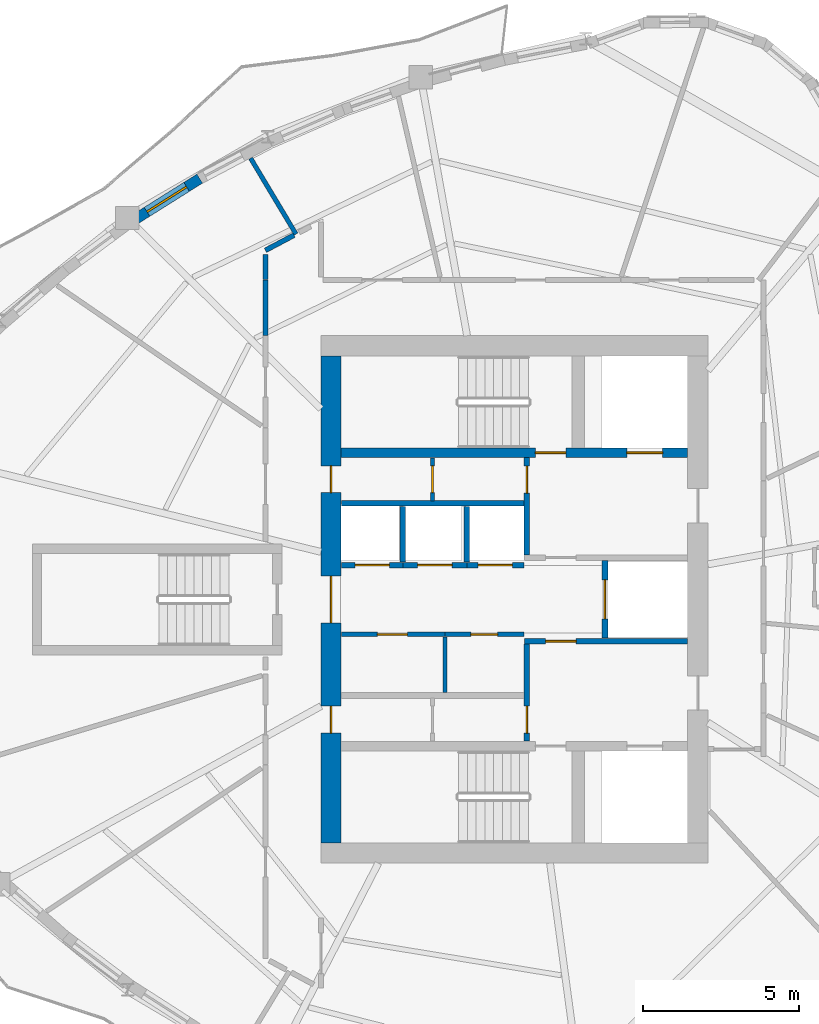
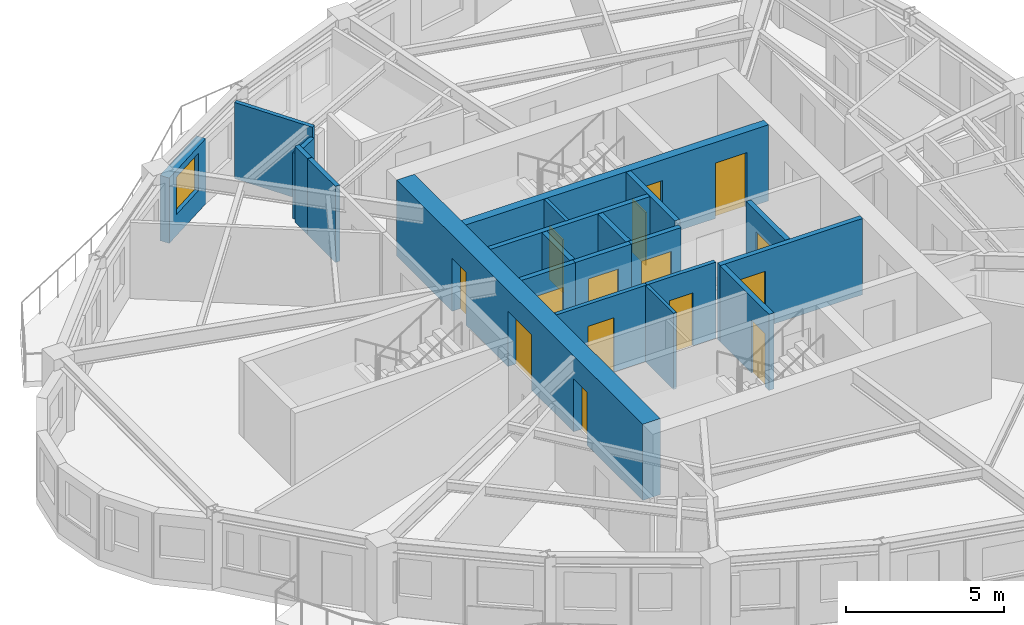
# One storey, part 5 of 12: 21 walls, 15 doors, 1 window, 16 openings.
"""IFC4 building model written with IfcOpenShell, lengths in metres."""

from ifc_helpers import new_model, si_unit, direction, frame, frame_2d, origin, place, context, subcontext, project, spatial, rectangle, extrude, source, transform, mapped, material, layer, layer_set, type_object, element, fill, save


model = new_model("IFC4")

# Units and contexts
model_context = context("Model", 3, precision=1e-05, world=origin(), true_north=direction((0.0, 1.0)))
body_context = subcontext(model_context, "Body", "Model", "MODEL_VIEW")
ifc_project = project(units=[si_unit("LENGTHUNIT", "METRE"), si_unit("AREAUNIT", "SQUARE_METRE"), si_unit("VOLUMEUNIT", "CUBIC_METRE"), si_unit("PLANEANGLEUNIT", "RADIAN"), si_unit("MASSUNIT", "GRAM", prefix="KILO")], contexts=[model_context])

# Site, building, storey
site_placement = place(None, origin())
site = spatial("IfcSite", under=ifc_project, at=site_placement, CompositionType="ELEMENT")
building_placement = place(site_placement, origin())
building = spatial("IfcBuilding", under=site, at=building_placement, Name="Qafzar Sky-Pleat Residences", CompositionType="ELEMENT")
storey_placement = place(building_placement, frame((0.0, 0.0, 145.800048828125)))
storey = spatial("IfcBuildingStorey", under=building, at=storey_placement, Name="L43", CompositionType="ELEMENT", Elevation=145.800048828125)

# Walls
ifc_material_1 = material(Name="Acoustic gypsum plasterboard partition", Category="gypsum")
ifc_layer_1 = layer(ifc_material_1, 0.159912109375)
ifc_layer_set_1 = layer_set([ifc_layer_1], Name="Acoustic gypsum plasterboard partition")
wall_type_1 = type_object("IfcWallType", Name="PART-COR-160", PredefinedType="PARTITIONING", material=ifc_layer_set_1)
wall_1_placement = place(storey_placement, frame((22.3701171875, 34.465087890625, 0.0), z_axis=(0.0, 0.0, 1.0), x_axis=(0.0, 1.0, 0.0)))
element("IfcWall", 1, at=wall_1_placement, inside=storey, type_object=wall_type_1, Name="L43 Partition Wall PART-L43-PW-033", PredefinedType="PARTITIONING", context=body_context, shape_type="SweptSolid", body=[
    extrude(rectangle(XDim=1.764892578125, YDim=0.159912109375, at=frame_2d((0.88232421875, 0.0))), origin(), (0.0, 0.0, 1.0), 2.949951171875),
])
wall_2_placement = place(storey_placement, frame((22.3701171875, 37.18701171875, 0.0), z_axis=(0.0, 0.0, 1.0), x_axis=(0.884244639112, 0.467024001741, 0.0)))
element("IfcWall", 2, at=wall_2_placement, inside=storey, type_object=wall_type_1, Name="L43 Partition Wall PART-L43-PW-037", PredefinedType="PARTITIONING", context=body_context, shape_type="SweptSolid", body=[
    extrude(rectangle(XDim=1.039306640625, YDim=0.159912109375, at=frame_2d((0.51953125, 0.0))), origin(), (0.0, 0.0, 1.0), 2.557861328125),
])
wall_3_placement = place(storey_placement, frame((22.3701171875, 36.2451171875, 0.0), z_axis=(0.0, 0.0, 1.0), x_axis=(0.0, 1.0, 0.0)))
element("IfcWall", 3, at=wall_3_placement, inside=storey, type_object=wall_type_1, Name="L43 Partition Wall PART-L43-PW-039", PredefinedType="PARTITIONING", context=body_context, shape_type="SweptSolid", body=[
    extrude(rectangle(XDim=0.80126953125, YDim=0.159912109375, at=frame_2d((0.400634765625, 0.0))), origin(), (0.0, 0.0, 1.0), 2.949951171875),
])

# Wall, opening, door
ifc_material_2 = material(Name="Concrete blockwork partition", Category="masonry")
ifc_layer_2 = layer(ifc_material_2, 0.179931640625)
ifc_layer_set_2 = layer_set([ifc_layer_2], Name="Concrete blockwork partition")
wall_type_2 = type_object("IfcWallType", Name="PART-SHAFT-180", PredefinedType="PARTITIONING", material=ifc_layer_set_2)
wall_4_placement = place(storey_placement, frame((30.75, 21.4599609375, 0.0), z_axis=(0.0, 0.0, 1.0), x_axis=(0.0, 1.0, 0.0)))
wall_4 = element("IfcWall", 4, at=wall_4_placement, inside=storey, type_object=wall_type_2, Name="L43 Partition Wall PART-L43-FFL1-W", PredefinedType="PARTITIONING", context=body_context, shape_type="SweptSolid", body=[
    extrude(rectangle(XDim=3.110107421875, YDim=0.179931640625, at=frame_2d((1.55517578125, 0.0))), origin(), (0.0, 0.0, 1.0), 2.949951171875),
])
opening_1_placement = place(wall_4_placement, frame((0.260009765625, 0.0, 0.0)))
opening_1 = element("IfcOpeningElement", 5, at=opening_1_placement, cuts=wall_4, Name="Opening ID-09", PredefinedType="OPENING", context=body_context, shape_type="SweptSolid", body=[
    extrude(rectangle(XDim=0.860107421875, YDim=2.050048828125, at=frame_2d((0.43017578125, 1.02490234375))), frame((0.0, 0.10009765625, 0.0), z_axis=(0.0, -1.0, 0.0), x_axis=(1.0, 0.0, 0.0)), (0.0, 0.0, 1.0), 0.199951171875),
])
ifc_material_3 = material(Name="Timber-faced fire door", Category="wood")
door_type_1 = type_object("IfcDoorType", Name="DR-SVC-860", OperationType="NOTDEFINED", PredefinedType="DOOR", material=ifc_material_3)
shared_shape_1 = source(origin(), body_context, "Body", "SweptSolid", [
    extrude(rectangle(XDim=0.860107421875, YDim=2.050048828125, at=frame_2d((0.43017578125, 1.02490234375))), frame((0.0, 0.02490234375, 0.0), z_axis=(0.0, -1.0, 0.0), x_axis=(1.0, 0.0, 0.0)), (0.0, 0.0, 1.0), 0.050048828125),
])
door_1_placement = place(opening_1_placement, origin())
door_1 = element("IfcDoor", 6, at=door_1_placement, inside=storey, type_object=door_type_1, Name="L43 South Core Cupboard Door", OperationType="SINGLE_SWING_RIGHT", OverallHeight=2.050048828125, OverallWidth=0.860107421875, PredefinedType="DOOR", context=body_context, shape_type="MappedRepresentation", body=[
    mapped(shared_shape_1, transform((0.0, 0.0, 0.0), x_axis=(1.0, 0.0, 0.0), y_axis=(0.0, 1.0, 0.0), z_axis=(0.0, 0.0, 1.0), scale=1.0)),
])
fill(opening_1, door_1)

wall_5_placement = place(storey_placement, frame((30.669921875, 24.659912109375, 0.0), z_axis=(0.0, 0.0, 1.0), x_axis=(1.0, 0.0, 0.0)))
wall_5 = element("IfcWall", 7, at=wall_5_placement, inside=storey, type_object=wall_type_2, Name="L43 Partition Wall PART-L43-FFL1-N", PredefinedType="PARTITIONING", context=body_context, shape_type="SweptSolid", body=[
    extrude(rectangle(XDim=5.219970703125, YDim=0.179931640625, at=frame_2d((2.60986328125, 0.0))), origin(), (0.0, 0.0, 1.0), 2.949951171875),
])
opening_2_placement = place(wall_5_placement, frame((0.679931640625, 0.0, 0.0)))
opening_2 = element("IfcOpeningElement", 8, at=opening_2_placement, cuts=wall_5, Name="Opening ID-01", PredefinedType="OPENING", context=body_context, shape_type="SweptSolid", body=[
    extrude(rectangle(XDim=0.97998046875, YDim=2.14990234375, at=frame_2d((0.489990234375, 1.074951171875))), frame((0.0, 0.10009765625, 0.0), z_axis=(0.0, -1.0, 0.0), x_axis=(1.0, 0.0, 0.0)), (0.0, 0.0, 1.0), 0.199951171875),
])
door_type_2 = type_object("IfcDoorType", Name="DR-STAIR-980", OperationType="NOTDEFINED", PredefinedType="DOOR", material=ifc_material_3)
shared_shape_2 = source(origin(), body_context, "Body", "SweptSolid", [
    extrude(rectangle(XDim=0.97998046875, YDim=2.14990234375, at=frame_2d((0.489990234375, 1.074951171875))), frame((0.0, 0.02490234375, 0.0), z_axis=(0.0, -1.0, 0.0), x_axis=(1.0, 0.0, 0.0)), (0.0, 0.0, 1.0), 0.050048828125),
])
door_2_placement = place(opening_2_placement, origin())
door_2 = element("IfcDoor", 9, at=door_2_placement, inside=storey, type_object=door_type_2, Name="L43 Lift Lobby to South Firefighting Lobby Door", OperationType="SINGLE_SWING_LEFT", OverallHeight=2.14990234375, OverallWidth=0.97998046875, PredefinedType="DOOR", context=body_context, shape_type="MappedRepresentation", body=[
    mapped(shared_shape_2, transform((0.0, 0.0, 0.0), x_axis=(1.0, 0.0, 0.0), y_axis=(0.0, 1.0, 0.0), z_axis=(0.0, 0.0, 1.0), scale=1.0)),
])
fill(opening_2, door_2)

wall_6_placement = place(storey_placement, frame((30.75, 27.429931640625, 0.0), z_axis=(0.0, 0.0, 1.0), x_axis=(0.0, 1.0, 0.0)))
wall_6 = element("IfcWall", 10, at=wall_6_placement, inside=storey, type_object=wall_type_2, Name="L43 Partition Wall PART-L43-FFL2-W", PredefinedType="PARTITIONING", context=body_context, shape_type="SweptSolid", body=[
    extrude(rectangle(XDim=3.110107421875, YDim=0.179931640625, at=frame_2d((1.55517578125, 0.0))), origin(), (0.0, 0.0, 1.0), 2.949951171875),
])
opening_3_placement = place(wall_6_placement, frame((1.97998046875, 0.0, 0.0)))
opening_3 = element("IfcOpeningElement", 11, at=opening_3_placement, cuts=wall_6, Name="Opening ID-09", PredefinedType="OPENING", context=body_context, shape_type="SweptSolid", body=[
    extrude(rectangle(XDim=0.860107421875, YDim=2.050048828125, at=frame_2d((0.43017578125, 1.02490234375))), frame((0.0, 0.10009765625, 0.0), z_axis=(0.0, -1.0, 0.0), x_axis=(1.0, 0.0, 0.0)), (0.0, 0.0, 1.0), 0.199951171875),
])
door_3_placement = place(opening_3_placement, origin())
door_3 = element("IfcDoor", 12, at=door_3_placement, inside=storey, type_object=door_type_1, Name="L43 North Core Cupboard Door", OperationType="SINGLE_SWING_RIGHT", OverallHeight=2.050048828125, OverallWidth=0.860107421875, PredefinedType="DOOR", context=body_context, shape_type="MappedRepresentation", body=[
    mapped(shared_shape_1, transform((0.0, 0.0, 0.0), x_axis=(1.0, 0.0, 0.0), y_axis=(0.0, 1.0, 0.0), z_axis=(0.0, 0.0, 1.0), scale=1.0)),
])
fill(opening_3, door_3)

wall_7_placement = place(storey_placement, frame((33.25, 24.760009765625, 0.0), z_axis=(0.0, 0.0, 1.0), x_axis=(0.0, 1.0, 0.0)))
wall_7 = element("IfcWall", 13, at=wall_7_placement, inside=storey, type_object=wall_type_2, Name="L43 Partition Wall PART-L43-SV1-W", PredefinedType="PARTITIONING", context=body_context, shape_type="SweptSolid", body=[
    extrude(rectangle(XDim=2.47998046875, YDim=0.179931640625, at=frame_2d((1.239990234375, 0.0))), origin(), (0.0, 0.0, 1.0), 2.949951171875),
])
opening_4_placement = place(wall_7_placement, frame((0.614990234375, 0.0, 0.0)))
opening_4 = element("IfcOpeningElement", 14, at=opening_4_placement, cuts=wall_7, Name="Opening LD-03", PredefinedType="OPENING", context=body_context, shape_type="SweptSolid", body=[
    extrude(rectangle(XDim=1.25, YDim=2.14990234375, at=frame_2d((0.625, 1.074951171875))), frame((0.0, 0.10009765625, 0.0), z_axis=(0.0, -1.0, 0.0), x_axis=(1.0, 0.0, 0.0)), (0.0, 0.0, 1.0), 0.199951171875),
])
ifc_material_4 = material(Name="Stainless steel sliding landing door", Category="steel")
door_type_3 = type_object("IfcDoorType", Name="DR-LIFT-SV", OperationType="DOUBLE_DOOR_SLIDING", PredefinedType="DOOR", material=ifc_material_4)
shared_shape_3 = source(origin(), body_context, "Body", "SweptSolid", [
    extrude(rectangle(XDim=1.25, YDim=2.14990234375, at=frame_2d((0.625, 1.074951171875))), frame((0.0, 0.02490234375, 0.0), z_axis=(0.0, -1.0, 0.0), x_axis=(1.0, 0.0, 0.0)), (0.0, 0.0, 1.0), 0.050048828125),
])
door_4_placement = place(opening_4_placement, origin())
door_4 = element("IfcDoor", 15, at=door_4_placement, inside=storey, type_object=door_type_3, Name="L43 Service Lift SV1 Landing Door", OperationType="DOUBLE_DOOR_SLIDING", OverallHeight=2.14990234375, OverallWidth=1.25, PredefinedType="DOOR", context=body_context, shape_type="MappedRepresentation", body=[
    mapped(shared_shape_3, transform((0.0, 0.0, 0.0), x_axis=(1.0, 0.0, 0.0), y_axis=(0.0, 1.0, 0.0), z_axis=(0.0, 0.0, 1.0), scale=1.0)),
])
fill(opening_4, door_4)

# Wall
wall_8_placement = place(storey_placement, frame((24.81005859375, 29.080078125, 0.0), z_axis=(0.0, 0.0, 1.0), x_axis=(1.0, 0.0, 0.0)))
element("IfcWall", 16, at=wall_8_placement, inside=storey, type_object=wall_type_2, Name="L43 Partition Wall PART-L43-P46-N", PredefinedType="PARTITIONING", context=body_context, shape_type="SweptSolid", body=[
    extrude(rectangle(XDim=5.83984375, YDim=0.179931640625, at=frame_2d((2.919921875, 0.0))), origin(), (0.0, 0.0, 1.0), 2.949951171875),
])

# Wall, opening, door
wall_9_placement = place(storey_placement, frame((24.81005859375, 27.10009765625, 0.0), z_axis=(0.0, 0.0, 1.0), x_axis=(1.0, 0.0, 0.0)))
wall_9 = element("IfcWall", 17, at=wall_9_placement, inside=storey, type_object=wall_type_2, Name="L43 Partition Wall PART-L43-P4-S", PredefinedType="PARTITIONING", context=body_context, shape_type="SweptSolid", body=[
    extrude(rectangle(XDim=1.96484375, YDim=0.179931640625, at=frame_2d((0.982421875, 0.0))), origin(), (0.0, 0.0, 1.0), 2.949951171875),
])
opening_5_placement = place(wall_9_placement, frame((0.4326171875, 0.0, 0.0)))
opening_5 = element("IfcOpeningElement", 18, at=opening_5_placement, cuts=wall_9, Name="Opening LD-01", PredefinedType="OPENING", context=body_context, shape_type="SweptSolid", body=[
    extrude(rectangle(XDim=1.10009765625, YDim=2.14990234375, at=frame_2d((0.550048828125, 1.074951171875))), frame((0.0, 0.10009765625, 0.0), z_axis=(0.0, -1.0, 0.0), x_axis=(1.0, 0.0, 0.0)), (0.0, 0.0, 1.0), 0.199951171875),
])
door_type_4 = type_object("IfcDoorType", Name="DR-LIFT-P", OperationType="DOUBLE_DOOR_SLIDING", PredefinedType="DOOR", material=ifc_material_4)
shared_shape_4 = source(origin(), body_context, "Body", "SweptSolid", [
    extrude(rectangle(XDim=1.10009765625, YDim=2.14990234375, at=frame_2d((0.550048828125, 1.074951171875))), frame((0.0, 0.02490234375, 0.0), z_axis=(0.0, -1.0, 0.0), x_axis=(1.0, 0.0, 0.0)), (0.0, 0.0, 1.0), 0.050048828125),
])
door_5_placement = place(opening_5_placement, origin())
door_5 = element("IfcDoor", 19, at=door_5_placement, inside=storey, type_object=door_type_4, Name="L43 Passenger Lift P4 Landing Door", OperationType="DOUBLE_DOOR_SLIDING", OverallHeight=2.14990234375, OverallWidth=1.10009765625, PredefinedType="DOOR", context=body_context, shape_type="MappedRepresentation", body=[
    mapped(shared_shape_4, transform((0.0, 0.0, 0.0), x_axis=(1.0, 0.0, 0.0), y_axis=(0.0, 1.0, 0.0), z_axis=(0.0, 0.0, 1.0), scale=1.0)),
])
fill(opening_5, door_5)

wall_10_placement = place(storey_placement, frame((26.77490234375, 27.10009765625, 0.0), z_axis=(0.0, 0.0, 1.0), x_axis=(1.0, 0.0, 0.0)))
wall_10 = element("IfcWall", 20, at=wall_10_placement, inside=storey, type_object=wall_type_2, Name="L43 Partition Wall PART-L43-P5-S", PredefinedType="PARTITIONING", context=body_context, shape_type="SweptSolid", body=[
    extrude(rectangle(XDim=2.050048828125, YDim=0.179931640625, at=frame_2d((1.02490234375, 0.0))), origin(), (0.0, 0.0, 1.0), 2.949951171875),
])
opening_6_placement = place(wall_10_placement, frame((0.47509765625, 0.0, 0.0)))
opening_6 = element("IfcOpeningElement", 21, at=opening_6_placement, cuts=wall_10, Name="Opening LD-01", PredefinedType="OPENING", context=body_context, shape_type="SweptSolid", body=[
    extrude(rectangle(XDim=1.10009765625, YDim=2.14990234375, at=frame_2d((0.550048828125, 1.074951171875))), frame((0.0, 0.10009765625, 0.0), z_axis=(0.0, -1.0, 0.0), x_axis=(1.0, 0.0, 0.0)), (0.0, 0.0, 1.0), 0.199951171875),
])
door_6_placement = place(opening_6_placement, origin())
door_6 = element("IfcDoor", 22, at=door_6_placement, inside=storey, type_object=door_type_4, Name="L43 Passenger Lift P5 Landing Door", OperationType="DOUBLE_DOOR_SLIDING", OverallHeight=2.14990234375, OverallWidth=1.10009765625, PredefinedType="DOOR", context=body_context, shape_type="MappedRepresentation", body=[
    mapped(shared_shape_4, transform((0.0, 0.0, 0.0), x_axis=(1.0, 0.0, 0.0), y_axis=(0.0, 1.0, 0.0), z_axis=(0.0, 0.0, 1.0), scale=1.0)),
])
fill(opening_6, door_6)

# Wall
wall_11_placement = place(storey_placement, frame((26.77490234375, 27.199951171875, 0.0), z_axis=(0.0, 0.0, 1.0), x_axis=(0.0, 1.0, 0.0)))
element("IfcWall", 23, at=wall_11_placement, inside=storey, type_object=wall_type_2, Name="L43 Partition Wall PART-L43-P46-DIV-1", PredefinedType="PARTITIONING", context=body_context, shape_type="SweptSolid", body=[
    extrude(rectangle(XDim=1.780029296875, YDim=0.179931640625, at=frame_2d((0.89013671875, 0.0))), origin(), (0.0, 0.0, 1.0), 2.949951171875),
])

# Wall, opening, door
wall_12_placement = place(storey_placement, frame((28.824951171875, 27.10009765625, 0.0), z_axis=(0.0, 0.0, 1.0), x_axis=(1.0, 0.0, 0.0)))
wall_12 = element("IfcWall", 24, at=wall_12_placement, inside=storey, type_object=wall_type_2, Name="L43 Partition Wall PART-L43-P6-S", PredefinedType="PARTITIONING", context=body_context, shape_type="SweptSolid", body=[
    extrude(rectangle(XDim=1.824951171875, YDim=0.179931640625, at=frame_2d((0.91259765625, 0.0))), origin(), (0.0, 0.0, 1.0), 2.949951171875),
])
opening_7_placement = place(wall_12_placement, frame((0.362548828125, 0.0, 0.0)))
opening_7 = element("IfcOpeningElement", 25, at=opening_7_placement, cuts=wall_12, Name="Opening LD-01", PredefinedType="OPENING", context=body_context, shape_type="SweptSolid", body=[
    extrude(rectangle(XDim=1.10009765625, YDim=2.14990234375, at=frame_2d((0.550048828125, 1.074951171875))), frame((0.0, 0.10009765625, 0.0), z_axis=(0.0, -1.0, 0.0), x_axis=(1.0, 0.0, 0.0)), (0.0, 0.0, 1.0), 0.199951171875),
])
door_7_placement = place(opening_7_placement, origin())
door_7 = element("IfcDoor", 26, at=door_7_placement, inside=storey, type_object=door_type_4, Name="L43 Passenger Lift P6 Landing Door", OperationType="DOUBLE_DOOR_SLIDING", OverallHeight=2.14990234375, OverallWidth=1.10009765625, PredefinedType="DOOR", context=body_context, shape_type="MappedRepresentation", body=[
    mapped(shared_shape_4, transform((0.0, 0.0, 0.0), x_axis=(1.0, 0.0, 0.0), y_axis=(0.0, 1.0, 0.0), z_axis=(0.0, 0.0, 1.0), scale=1.0)),
])
fill(opening_7, door_7)

# Walls
wall_13_placement = place(storey_placement, frame((28.824951171875, 27.199951171875, 0.0), z_axis=(0.0, 0.0, 1.0), x_axis=(0.0, 1.0, 0.0)))
element("IfcWall", 27, at=wall_13_placement, inside=storey, type_object=wall_type_2, Name="L43 Partition Wall PART-L43-P46-DIV-2", PredefinedType="PARTITIONING", context=body_context, shape_type="SweptSolid", body=[
    extrude(rectangle(XDim=1.780029296875, YDim=0.179931640625, at=frame_2d((0.89013671875, 0.0))), origin(), (0.0, 0.0, 1.0), 2.949951171875),
])
ifc_material_5 = material(Name="Gypsum plasterboard partition", Category="gypsum")
ifc_layer_3 = layer(ifc_material_5, 0.114990234375)
ifc_layer_set_3 = layer_set([ifc_layer_3], Name="Gypsum plasterboard partition")
wall_type_3 = type_object("IfcWallType", Name="PART-SVC-115", PredefinedType="PARTITIONING", material=ifc_layer_set_3)
wall_14_placement = place(storey_placement, frame((28.125, 23.02001953125, 0.0), z_axis=(0.0, 0.0, 1.0), x_axis=(0.0, 1.0, 0.0)))
element("IfcWall", 28, at=wall_14_placement, inside=storey, type_object=wall_type_3, Name="L43 Partition Wall PART-L43-RECLAIM-DIV", PredefinedType="PARTITIONING", context=body_context, shape_type="SweptSolid", body=[
    extrude(rectangle(XDim=1.77001953125, YDim=0.114990234375, at=frame_2d((0.885009765625, 0.0))), origin(), (0.0, 0.0, 1.0), 2.949951171875),
])

# Wall, opening, door
wall_15_placement = place(storey_placement, frame((27.72509765625, 29.159912109375, 0.0), z_axis=(0.0, 0.0, 1.0), x_axis=(0.0, 1.0, 0.0)))
wall_15 = element("IfcWall", 29, at=wall_15_placement, inside=storey, type_object=wall_type_3, Name="L43 Partition Wall PART-L43-KB-NW", PredefinedType="PARTITIONING", context=body_context, shape_type="SweptSolid", body=[
    extrude(rectangle(XDim=1.380126953125, YDim=0.114990234375, at=frame_2d((0.68994140625, 0.0))), origin(), (0.0, 0.0, 1.0), 2.949951171875),
])
opening_8_placement = place(wall_15_placement, frame((0.260009765625, 0.0, 0.0)))
opening_8 = element("IfcOpeningElement", 30, at=opening_8_placement, cuts=wall_15, Name="Opening ID-09", PredefinedType="OPENING", context=body_context, shape_type="SweptSolid", body=[
    extrude(rectangle(XDim=0.860107421875, YDim=2.050048828125, at=frame_2d((0.43017578125, 1.02490234375))), frame((0.0, 0.0673828125, 0.0), z_axis=(0.0, -1.0, 0.0), x_axis=(1.0, 0.0, 0.0)), (0.0, 0.0, 1.0), 0.135009765625),
])
door_8_placement = place(opening_8_placement, origin())
door_8 = element("IfcDoor", 31, at=door_8_placement, inside=storey, type_object=door_type_1, Name="L43 IT Cupboard Door", OperationType="SINGLE_SWING_LEFT", OverallHeight=2.050048828125, OverallWidth=0.860107421875, PredefinedType="DOOR", context=body_context, shape_type="MappedRepresentation", body=[
    mapped(shared_shape_1, transform((0.0, 0.0, 0.0), x_axis=(1.0, 0.0, 0.0), y_axis=(0.0, 1.0, 0.0), z_axis=(0.0, 0.0, 1.0), scale=1.0)),
])
fill(opening_8, door_8)

ifc_layer_4 = layer(ifc_material_1, 0.14501953125)
ifc_layer_set_4 = layer_set([ifc_layer_4], Name="Acoustic gypsum plasterboard partition")
wall_type_4 = type_object("IfcWallType", Name="PART-UNIT-145", PredefinedType="PARTITIONING", material=ifc_layer_set_4)
wall_16_placement = place(storey_placement, frame((24.81005859375, 24.8798828125, 0.0), z_axis=(0.0, 0.0, 1.0), x_axis=(1.0, 0.0, 0.0)))
wall_16 = element("IfcWall", 32, at=wall_16_placement, inside=storey, type_object=wall_type_4, Name="L43 Partition Wall PART-L43-RECLAIM-N1", PredefinedType="PARTITIONING", context=body_context, shape_type="SweptSolid", body=[
    extrude(rectangle(XDim=3.31005859375, YDim=0.14501953125, at=frame_2d((1.655029296875, 0.0))), origin(), (0.0, 0.0, 1.0), 2.949951171875),
])
opening_9_placement = place(wall_16_placement, frame((1.14990234375, 0.0, 0.0)))
opening_9 = element("IfcOpeningElement", 33, at=opening_9_placement, cuts=wall_16, Name="Opening ID-06", PredefinedType="OPENING", context=body_context, shape_type="SweptSolid", body=[
    extrude(rectangle(XDim=0.9599609375, YDim=2.10009765625, at=frame_2d((0.47998046875, 1.050048828125))), frame((0.0, 0.08251953125, 0.0), z_axis=(0.0, -1.0, 0.0), x_axis=(1.0, 0.0, 0.0)), (0.0, 0.0, 1.0), 0.1650390625),
])
door_type_5 = type_object("IfcDoorType", Name="DR-STD-960", OperationType="NOTDEFINED", PredefinedType="DOOR", material=ifc_material_3)
shared_shape_5 = source(origin(), body_context, "Body", "SweptSolid", [
    extrude(rectangle(XDim=0.9599609375, YDim=2.10009765625, at=frame_2d((0.47998046875, 1.050048828125))), frame((0.0, 0.02490234375, 0.0), z_axis=(0.0, -1.0, 0.0), x_axis=(1.0, 0.0, 0.0)), (0.0, 0.0, 1.0), 0.050048828125),
])
door_9_placement = place(opening_9_placement, origin())
door_9 = element("IfcDoor", 34, at=door_9_placement, inside=storey, type_object=door_type_5, Name="L43 Reclaimed Quiet Study Room Door", OperationType="SINGLE_SWING_RIGHT", OverallHeight=2.10009765625, OverallWidth=0.9599609375, PredefinedType="DOOR", context=body_context, shape_type="MappedRepresentation", body=[
    mapped(shared_shape_5, transform((0.0, 0.0, 0.0), x_axis=(1.0, 0.0, 0.0), y_axis=(0.0, 1.0, 0.0), z_axis=(0.0, 0.0, 1.0), scale=1.0)),
])
fill(opening_9, door_9)

wall_17_placement = place(storey_placement, frame((28.1298828125, 24.8798828125, 0.0), z_axis=(0.0, 0.0, 1.0), x_axis=(1.0, 0.0, 0.0)))
wall_17 = element("IfcWall", 35, at=wall_17_placement, inside=storey, type_object=wall_type_4, Name="L43 Partition Wall PART-L43-RECLAIM-N2", PredefinedType="PARTITIONING", context=body_context, shape_type="SweptSolid", body=[
    extrude(rectangle(XDim=2.52001953125, YDim=0.14501953125, at=frame_2d((1.260009765625, 0.0))), origin(), (0.0, 0.0, 1.0), 2.949951171875),
])
opening_10_placement = place(wall_17_placement, frame((0.820068359375, 0.0, 0.0)))
opening_10 = element("IfcOpeningElement", 36, at=opening_10_placement, cuts=wall_17, Name="Opening ID-09", PredefinedType="OPENING", context=body_context, shape_type="SweptSolid", body=[
    extrude(rectangle(XDim=0.860107421875, YDim=2.050048828125, at=frame_2d((0.43017578125, 1.02490234375))), frame((0.0, 0.08251953125, 0.0), z_axis=(0.0, -1.0, 0.0), x_axis=(1.0, 0.0, 0.0)), (0.0, 0.0, 1.0), 0.1650390625),
])
door_10_placement = place(opening_10_placement, origin())
door_10 = element("IfcDoor", 37, at=door_10_placement, inside=storey, type_object=door_type_1, Name="L43 Reclaimed Linen Cupboard Door", OperationType="SINGLE_SWING_LEFT", OverallHeight=2.050048828125, OverallWidth=0.860107421875, PredefinedType="DOOR", context=body_context, shape_type="MappedRepresentation", body=[
    mapped(shared_shape_1, transform((0.0, 0.0, 0.0), x_axis=(1.0, 0.0, 0.0), y_axis=(0.0, 1.0, 0.0), z_axis=(0.0, 0.0, 1.0), scale=1.0)),
])
fill(opening_10, door_10)

# Wall
wall_18_placement = place(storey_placement, frame((21.897216796875, 40.13525390625, 0.0), z_axis=(0.0, 0.0, 1.0), x_axis=(0.513392323606, -0.858154020012, 0.0)))
element("IfcWall", 38, at=wall_18_placement, inside=storey, type_object=wall_type_4, Name="L43 Partition Wall PART-L43-PW-025", PredefinedType="PARTITIONING", context=body_context, shape_type="SweptSolid", body=[
    extrude(rectangle(XDim=2.831787109375, YDim=0.14501953125, at=frame_2d((1.416015625, 0.0))), origin(), (0.0, 0.0, 1.0), 2.949951171875),
])

# Wall, opening, window
ifc_material_6 = material(Name="Precast concrete C40/50 with honed Riyadh limestone", Category="concrete")
ifc_layer_5 = layer(ifc_material_6, 0.340087890625)
ifc_layer_set_5 = layer_set([ifc_layer_5], Name="Precast concrete C40/50 with honed Riyadh limestone")
wall_type_5 = type_object("IfcWallType", Name="WALL-EXT-340", PredefinedType="SOLIDWALL", material=ifc_layer_set_5)
wall_19_placement = place(storey_placement, frame((20.266357421875, 39.48388671875, 0.0), z_axis=(0.0, 0.0, 1.0), x_axis=(-0.84647717658, -0.532425008363, 0.0)))
wall_19 = element("IfcWall", 39, at=wall_19_placement, inside=storey, type_object=wall_type_5, Name="L43 Limestone Facade Wall 44", PredefinedType="SOLIDWALL", context=body_context, shape_type="SweptSolid", body=[
    extrude(rectangle(XDim=2.4853515625, YDim=0.340087890625, at=frame_2d((1.24267578125, 0.0))), origin(), (0.0, 0.0, 1.0), 2.530029296875),
])
opening_11_placement = place(wall_19_placement, frame((0.49755859375, 0.0, 0.820068359375)))
opening_11 = element("IfcOpeningElement", 40, at=opening_11_placement, cuts=wall_19, Name="Opening WN-03", PredefinedType="OPENING", context=body_context, shape_type="SweptSolid", body=[
    extrude(rectangle(XDim=1.5, YDim=1.449951171875, at=frame_2d((0.75, 0.72509765625))), frame((0.0, 0.18017578125, 0.0), z_axis=(0.0, -1.0, 0.0), x_axis=(1.0, 0.0, 0.0)), (0.0, 0.0, 1.0), 0.360107421875),
])
ifc_material_7 = material(Name="Solar-control low-E glass in bronze aluminium frame", Category="glass")
window_type = type_object("IfcWindowType", Name="WIN-03", PartitioningType="DOUBLE_PANEL_VERTICAL", PredefinedType="WINDOW", material=ifc_material_7)
shared_shape_6 = source(origin(), body_context, "Body", "SweptSolid", [
    extrude(rectangle(XDim=1.5, YDim=1.449951171875, at=frame_2d((0.75, 0.72509765625))), frame((0.0, 0.030029296875, 0.0), z_axis=(0.0, -1.0, 0.0), x_axis=(1.0, 0.0, 0.0)), (0.0, 0.0, 1.0), 0.06005859375),
])
window_placement = place(opening_11_placement, origin())
window = element("IfcWindow", 41, at=window_placement, inside=storey, type_object=window_type, Name="L43 Punched Facade Window 44", OverallHeight=1.449951171875, OverallWidth=1.5, PartitioningType="SINGLE_PANEL", PredefinedType="WINDOW", context=body_context, shape_type="MappedRepresentation", body=[
    mapped(shared_shape_6, transform((0.0, 0.0, 0.0), x_axis=(1.0, 0.0, 0.0), y_axis=(0.0, 1.0, 0.0), z_axis=(0.0, 0.0, 1.0), scale=1.0)),
])
fill(opening_11, window)

# Wall, openings, doors
ifc_material_8 = material(Name="Concrete C60/75", Category="concrete")
ifc_layer_6 = layer(ifc_material_8, 0.300048828125)
ifc_layer_set_6 = layer_set([ifc_layer_6], Name="Concrete C60/75")
wall_type_6 = type_object("IfcWallType", Name="WALL-SHEAR-300", PredefinedType="SHEAR", material=ifc_layer_set_6)
wall_20_placement = place(storey_placement, frame((24.800048828125, 30.699951171875, 0.0), z_axis=(0.0, 0.0, 1.0), x_axis=(1.0, 0.0, 0.0)))
wall_20 = element("IfcWall", 42, at=wall_20_placement, inside=storey, type_object=wall_type_6, Name="L43 Stair ST2 and FF2 Shaft South Wall", PredefinedType="SHEAR", context=body_context, shape_type="SweptSolid", body=[
    extrude(rectangle(XDim=11.099853515625, YDim=0.300048828125, at=frame_2d((5.5498046875, 0.0))), origin(), (0.0, 0.0, 1.0), 2.949951171875),
])
opening_12_placement = place(wall_20_placement, frame((6.219970703125, 0.0, 0.0)))
opening_12 = element("IfcOpeningElement", 43, at=opening_12_placement, cuts=wall_20, Name="Opening ID-01", PredefinedType="OPENING", context=body_context, shape_type="SweptSolid", body=[
    extrude(rectangle(XDim=0.97998046875, YDim=2.14990234375, at=frame_2d((0.489990234375, 1.074951171875))), frame((0.0, 0.16015625, 0.0), z_axis=(0.0, -1.0, 0.0), x_axis=(1.0, 0.0, 0.0)), (0.0, 0.0, 1.0), 0.320068359375),
])
opening_13_placement = place(wall_20_placement, frame((9.14990234375, 0.0, 0.0)))
opening_13 = element("IfcOpeningElement", 44, at=opening_13_placement, cuts=wall_20, Name="Opening LD-02", PredefinedType="OPENING", context=body_context, shape_type="SweptSolid", body=[
    extrude(rectangle(XDim=1.14990234375, YDim=2.14990234375, at=frame_2d((0.574951171875, 1.074951171875))), frame((0.0, 0.16015625, 0.0), z_axis=(0.0, -1.0, 0.0), x_axis=(1.0, 0.0, 0.0)), (0.0, 0.0, 1.0), 0.320068359375),
])
door_11_placement = place(opening_12_placement, origin())
door_11 = element("IfcDoor", 45, at=door_11_placement, inside=storey, type_object=door_type_2, Name="L43 Stair ST2 Fire Door", OperationType="SINGLE_SWING_RIGHT", OverallHeight=2.14990234375, OverallWidth=0.97998046875, PredefinedType="DOOR", context=body_context, shape_type="MappedRepresentation", body=[
    mapped(shared_shape_2, transform((0.0, 0.0, 0.0), x_axis=(1.0, 0.0, 0.0), y_axis=(0.0, 1.0, 0.0), z_axis=(0.0, 0.0, 1.0), scale=1.0)),
])
fill(opening_12, door_11)
door_type_6 = type_object("IfcDoorType", Name="DR-LIFT-FF", OperationType="DOUBLE_DOOR_SLIDING", PredefinedType="DOOR", material=ifc_material_4)
shared_shape_7 = source(origin(), body_context, "Body", "SweptSolid", [
    extrude(rectangle(XDim=1.14990234375, YDim=2.14990234375, at=frame_2d((0.574951171875, 1.074951171875))), frame((0.0, 0.02490234375, 0.0), z_axis=(0.0, -1.0, 0.0), x_axis=(1.0, 0.0, 0.0)), (0.0, 0.0, 1.0), 0.050048828125),
])
door_12_placement = place(opening_13_placement, origin())
door_12 = element("IfcDoor", 46, at=door_12_placement, inside=storey, type_object=door_type_6, Name="L43 Firefighting Lift FF2 Landing Door", OperationType="DOUBLE_DOOR_SLIDING", OverallHeight=2.14990234375, OverallWidth=1.14990234375, PredefinedType="DOOR", context=body_context, shape_type="MappedRepresentation", body=[
    mapped(shared_shape_7, transform((0.0, 0.0, 0.0), x_axis=(1.0, 0.0, 0.0), y_axis=(0.0, 1.0, 0.0), z_axis=(0.0, 0.0, 1.0), scale=1.0)),
])
fill(opening_13, door_12)

ifc_layer_7 = layer(ifc_material_8, 0.64990234375)
ifc_layer_set_7 = layer_set([ifc_layer_7], Name="Concrete C60/75")
wall_type_7 = type_object("IfcWallType", Name="WALL-SHEAR-650", PredefinedType="SHEAR", material=ifc_layer_set_7)
wall_21_placement = place(storey_placement, frame((24.47509765625, 33.800048828125, 0.0), z_axis=(0.0, 0.0, 1.0), x_axis=(0.0, -1.0, 0.0)))
wall_21 = element("IfcWall", 47, at=wall_21_placement, inside=storey, type_object=wall_type_7, Name="L43 CORE wall W", PredefinedType="SHEAR", context=body_context, shape_type="SweptSolid", body=[
    extrude(rectangle(XDim=15.60009765625, YDim=0.64990234375, at=frame_2d((7.800048828125, 0.0))), origin(), (0.0, 0.0, 1.0), 2.949951171875),
])
opening_14_placement = place(wall_21_placement, frame((7.050048828125, 0.0, 0.0)))
opening_14 = element("IfcOpeningElement", 48, at=opening_14_placement, cuts=wall_21, Name="Opening ID-03", PredefinedType="OPENING", context=body_context, shape_type="SweptSolid", body=[
    extrude(rectangle(XDim=1.5, YDim=2.14990234375, at=frame_2d((0.75, 1.074951171875))), frame((0.0, 0.3349609375, 0.0), z_axis=(0.0, -1.0, 0.0), x_axis=(1.0, 0.0, 0.0)), (0.0, 0.0, 1.0), 0.669921875),
])
opening_15_placement = place(wall_21_placement, frame((3.52001953125, 0.0, 0.0)))
opening_15 = element("IfcOpeningElement", 49, at=opening_15_placement, cuts=wall_21, Name="Opening ID-09", PredefinedType="OPENING", context=body_context, shape_type="SweptSolid", body=[
    extrude(rectangle(XDim=0.860107421875, YDim=2.050048828125, at=frame_2d((0.43017578125, 1.02490234375))), frame((0.0, 0.3349609375, 0.0), z_axis=(0.0, -1.0, 0.0), x_axis=(1.0, 0.0, 0.0)), (0.0, 0.0, 1.0), 0.669921875),
])
opening_16_placement = place(wall_21_placement, frame((11.219970703125, 0.0, 0.0)))
opening_16 = element("IfcOpeningElement", 50, at=opening_16_placement, cuts=wall_21, Name="Opening ID-09", PredefinedType="OPENING", context=body_context, shape_type="SweptSolid", body=[
    extrude(rectangle(XDim=0.860107421875, YDim=2.050048828125, at=frame_2d((0.43017578125, 1.02490234375))), frame((0.0, 0.3349609375, 0.0), z_axis=(0.0, -1.0, 0.0), x_axis=(1.0, 0.0, 0.0)), (0.0, 0.0, 1.0), 0.669921875),
])
door_type_7 = type_object("IfcDoorType", Name="DR-COR-1500", OperationType="DOUBLE_DOOR_SINGLE_SWING", PredefinedType="DOOR", material=ifc_material_3)
shared_shape_8 = source(origin(), body_context, "Body", "SweptSolid", [
    extrude(rectangle(XDim=1.5, YDim=2.14990234375, at=frame_2d((0.75, 1.074951171875))), frame((0.0, 0.02490234375, 0.0), z_axis=(0.0, -1.0, 0.0), x_axis=(1.0, 0.0, 0.0)), (0.0, 0.0, 1.0), 0.050048828125),
])
door_13_placement = place(opening_14_placement, origin())
door_13 = element("IfcDoor", 51, at=door_13_placement, inside=storey, type_object=door_type_7, Name="L43 Lift Lobby West Double Door", OperationType="DOUBLE_DOOR_SINGLE_SWING", OverallHeight=2.14990234375, OverallWidth=1.5, PredefinedType="DOOR", context=body_context, shape_type="MappedRepresentation", body=[
    mapped(shared_shape_8, transform((0.0, 0.0, 0.0), x_axis=(1.0, 0.0, 0.0), y_axis=(0.0, 1.0, 0.0), z_axis=(0.0, 0.0, 1.0), scale=1.0)),
])
fill(opening_14, door_13)
door_14_placement = place(opening_15_placement, origin())
door_14 = element("IfcDoor", 52, at=door_14_placement, inside=storey, type_object=door_type_1, Name="L43 Core North-West Service Door", OperationType="SINGLE_SWING_RIGHT", OverallHeight=2.050048828125, OverallWidth=0.860107421875, PredefinedType="DOOR", context=body_context, shape_type="MappedRepresentation", body=[
    mapped(shared_shape_1, transform((0.0, 0.0, 0.0), x_axis=(1.0, 0.0, 0.0), y_axis=(0.0, 1.0, 0.0), z_axis=(0.0, 0.0, 1.0), scale=1.0)),
])
fill(opening_15, door_14)
door_15_placement = place(opening_16_placement, origin())
door_15 = element("IfcDoor", 53, at=door_15_placement, inside=storey, type_object=door_type_1, Name="L43 Core South-West Service Door", OperationType="SINGLE_SWING_LEFT", OverallHeight=2.050048828125, OverallWidth=0.860107421875, PredefinedType="DOOR", context=body_context, shape_type="MappedRepresentation", body=[
    mapped(shared_shape_1, transform((0.0, 0.0, 0.0), x_axis=(1.0, 0.0, 0.0), y_axis=(0.0, 1.0, 0.0), z_axis=(0.0, 0.0, 1.0), scale=1.0)),
])
fill(opening_16, door_15)

save(model, "model.ifc")
